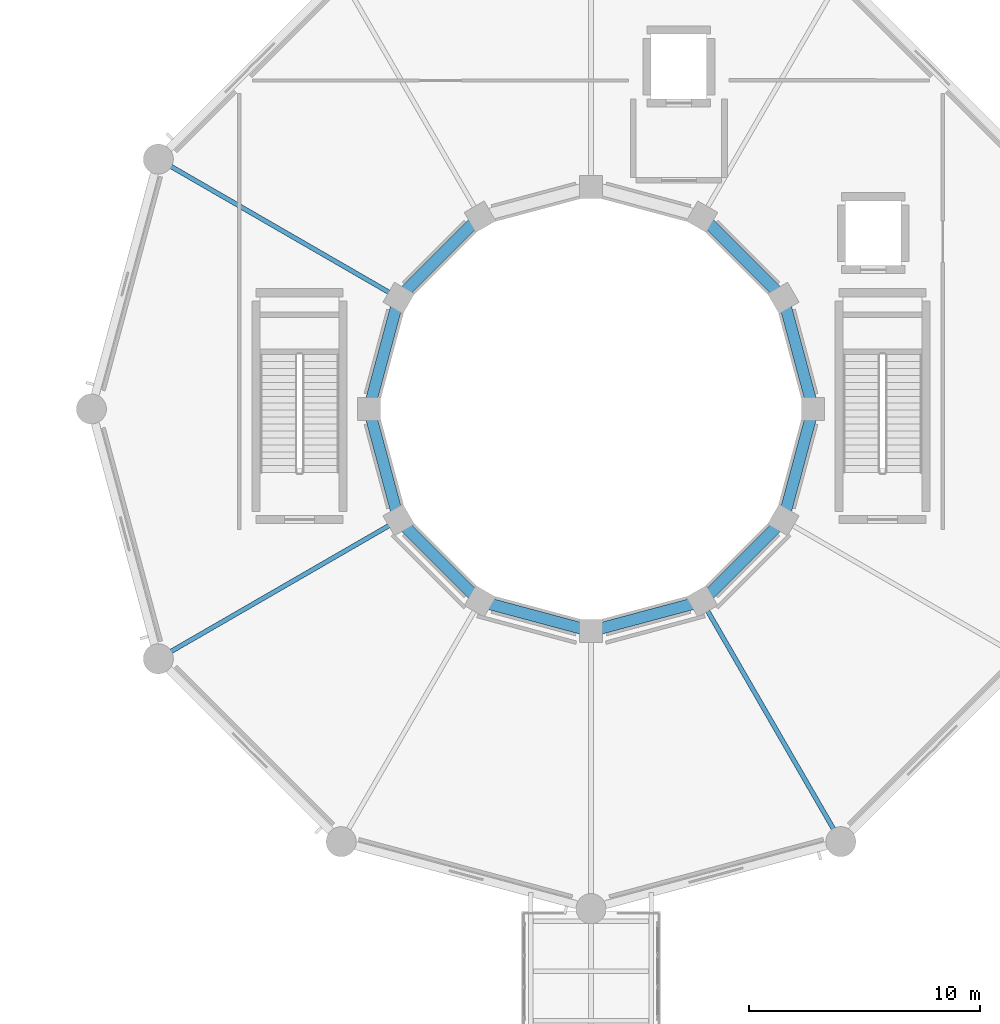
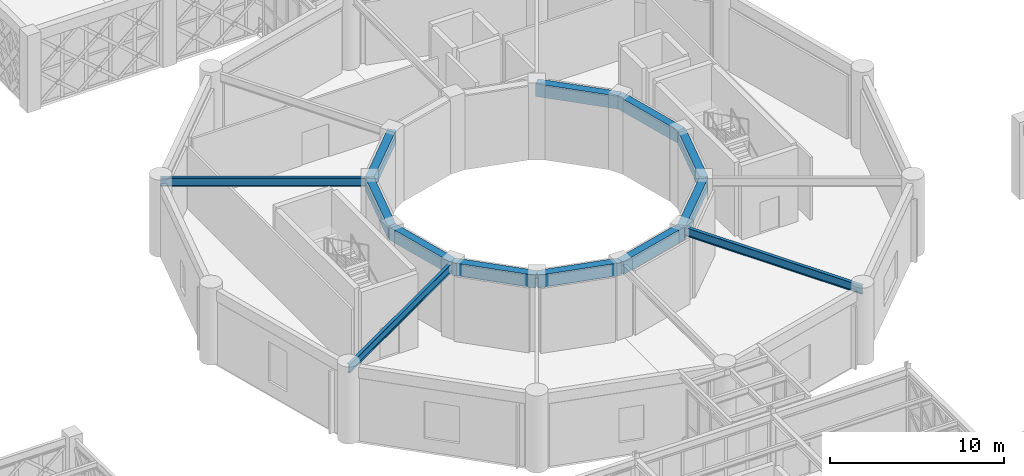
# One storey, part 55 of 155: 13 beams.
"""IFC4 building model written with IfcOpenShell, lengths in metres."""

from ifc_helpers import new_model, si_unit, direction, frame, origin, origin_2d, place, context, subcontext, project, spatial, rectangle, i_section, extrude, material, material_profile, profile_set, type_object, element, save


model = new_model("IFC4")

# Units and contexts
model_context = context("Model", 3, precision=1e-05, world=origin(), true_north=direction((0.0, 1.0)))
body_context = subcontext(model_context, "Body", "Model", "MODEL_VIEW")
ifc_project = project(units=[si_unit("LENGTHUNIT", "METRE"), si_unit("AREAUNIT", "SQUARE_METRE"), si_unit("VOLUMEUNIT", "CUBIC_METRE"), si_unit("PLANEANGLEUNIT", "RADIAN"), si_unit("MASSUNIT", "GRAM", prefix="KILO")], contexts=[model_context])

# Site, building, storey
site_placement = place(None, origin())
site = spatial("IfcSite", under=ifc_project, at=site_placement, CompositionType="ELEMENT")
building_placement = place(site_placement, origin())
building = spatial("IfcBuilding", under=site, at=building_placement, Name="Haizhuo Lancet Aquarium", CompositionType="ELEMENT")
storey_placement = place(building_placement, frame((0.0, 0.0, 10.800048828125)))
storey = spatial("IfcBuildingStorey", under=building, at=storey_placement, Name="L02", CompositionType="ELEMENT", Elevation=10.800048828125)

# Beams
ifc_material_1 = material(Name="Concrete C40/50", Category="concrete")
ifc_material_profile_1 = material_profile(ifc_material_1, rectangle(XDim=0.5, YDim=0.89990234375, at=origin_2d()), Name="RC-BM 500x900")
ifc_profile_set_1 = profile_set([ifc_material_profile_1], Name="Concrete C40/50")
beam_type_1 = type_object("IfcBeamType", Name="BM-RC-500x900", PredefinedType="BEAM", material=ifc_profile_set_1)
for number, where, z_axis, x_axis, name in (
    (1, (9.60009765625, 0.0, 4.7099609375), (-0.258812211902, 0.965927657214, 0.0), (-0.965927657214, -0.258812211902, 0.0), "L02 tank ring beam 1"),
    (2, (8.31396484375, 4.800048828125, 4.7099609375), (-0.707106781187, 0.707106781187, 0.0), (-0.707106781187, -0.707106781187, 0.0), "L02 tank ring beam 2"),
    (3, (-4.800048828125, 8.31396484375, 4.7099609375), (-0.707106781187, -0.707106781187, 0.0), (0.707106781187, -0.707106781187, 0.0), "L02 tank ring beam 5"),
    (4, (-8.31396484375, 4.800048828125, 4.7099609375), (-0.258812211902, -0.965927657214, 0.0), (0.965927657214, -0.258812211902, 0.0), "L02 tank ring beam 6"),
    (5, (-9.60009765625, 0.0, 4.7099609375), (0.258812211902, -0.965927657214, 0.0), (0.965927657214, 0.258812211902, 0.0), "L02 tank ring beam 7"),
    (6, (-8.31396484375, -4.800048828125, 4.7099609375), (0.707106781187, -0.707106781187, 0.0), (0.707106781187, 0.707106781187, 0.0), "L02 tank ring beam 8"),
    (7, (-4.800048828125, -8.31396484375, 4.7099609375), (0.965927657214, -0.258812211902, 0.0), (0.258812211902, 0.965927657214, 0.0), "L02 tank ring beam 9"),
    (8, (0.0, -9.60009765625, 4.7099609375), (0.965927657214, 0.258812211902, 0.0), (-0.258812211902, 0.965927657214, 0.0), "L02 tank ring beam 10"),
    (9, (4.800048828125, -8.31396484375, 4.7099609375), (0.707106781187, 0.707106781187, 0.0), (-0.707106781187, 0.707106781187, 0.0), "L02 tank ring beam 11"),
    (10, (8.31396484375, -4.800048828125, 4.7099609375), (0.258812211902, 0.965927657214, 0.0), (-0.965927657214, 0.258812211902, 0.0), "L02 tank ring beam 12"),
):
    element("IfcBeam", number, at=place(storey_placement, frame(where, z_axis=z_axis, x_axis=x_axis)), inside=storey, type_object=beam_type_1, Name=name, PredefinedType="BEAM", context=body_context, shape_type="SweptSolid", body=[
        extrude(rectangle(XDim=0.5, YDim=0.89990234375, at=origin_2d()), origin(), (0.0, 0.0, 1.0), 4.969482421875),
    ])
ifc_material_2 = material(Name="Steel S355", Category="steel")
ifc_material_profile_2 = material_profile(ifc_material_2, i_section(OverallWidth=0.199951171875, OverallDepth=0.60009765625, WebThickness=0.010986328125, FlangeThickness=0.01708984375, FilletRadius=0.02197265625, at=origin_2d()), Name="HN 600x200x11x17")
ifc_profile_set_2 = profile_set([ifc_material_profile_2], Name="Steel S355")
beam_type_2 = type_object("IfcBeamType", Name="BM-ST-HN600", PredefinedType="BEAM", material=ifc_profile_set_2)
for number, where, z_axis, x_axis, name in (
    (11, (-8.31396484375, 4.800048828125, 4.85986328125), (-0.866020924479, 0.500007758305, 0.0), (-0.500007758305, -0.866020924479, 0.0), "L02 radial gallery girder 6"),
    (12, (-8.31396484375, -4.800048828125, 4.85986328125), (-0.866020924479, -0.500007758305, 0.0), (0.500007758305, -0.866020924479, 0.0), "L02 radial gallery girder 8"),
    (13, (4.800048828125, -8.31396484375, 4.85986328125), (0.500007758305, -0.866020924479, 0.0), (0.866020924479, 0.500007758305, 0.0), "L02 radial gallery girder 11"),
):
    element("IfcBeam", number, at=place(storey_placement, frame(where, z_axis=z_axis, x_axis=x_axis)), inside=storey, type_object=beam_type_2, Name=name, PredefinedType="BEAM", context=body_context, shape_type="SweptSolid", body=[
        extrude(i_section(OverallWidth=0.199951171875, OverallDepth=0.60009765625, WebThickness=0.010986328125, FlangeThickness=0.01708984375, FilletRadius=0.02197265625, at=origin_2d()), origin(), (0.0, 0.0, 1.0), 11.999755859375),
    ])

save(model, "model.ifc")
